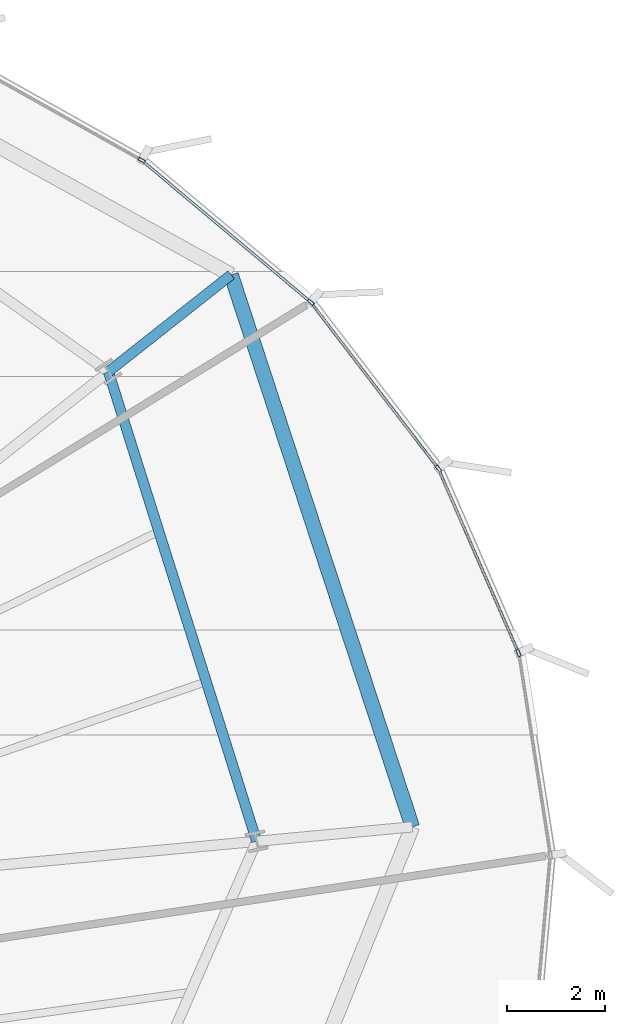
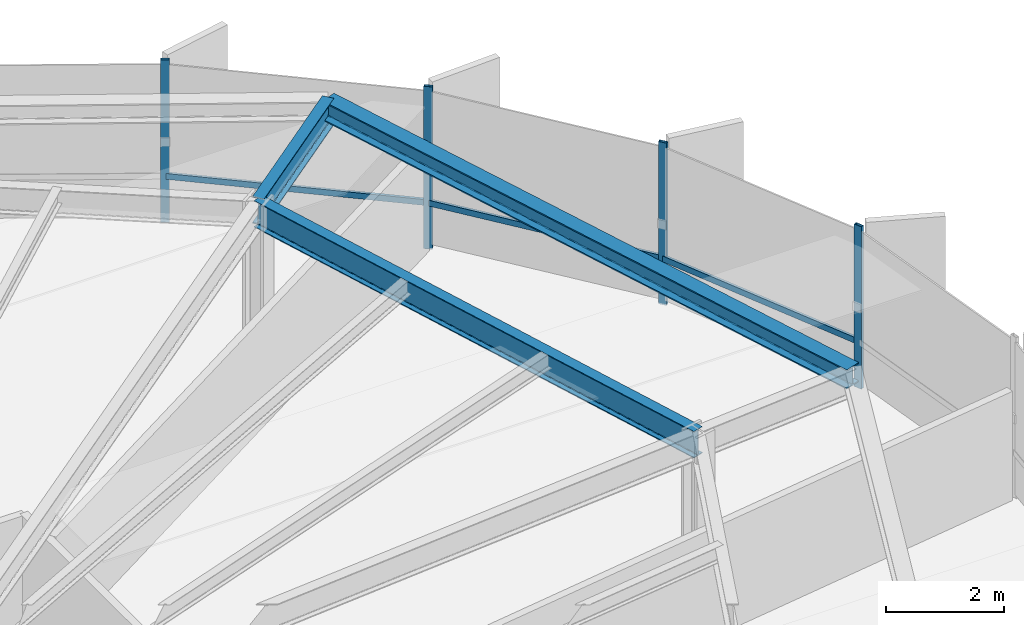
# One storey, part 25 of 35: 7 members, 3 beams, 1 element without a shape of its own.
"""IFC4 building model written with IfcOpenShell, lengths in metres."""

from ifc_helpers import new_model, si_unit, direction, frame, origin, origin_2d, place, context, subcontext, project, spatial, hollow_rectangle, i_section, extrude, source, transform, mapped, material, layer, layer_set, material_profile, profile_set, type_object, element, aggregate, save


model = new_model("IFC4")

# Units and contexts
model_context = context("Model", 3, precision=1e-05, world=origin(), true_north=direction((0.0, 1.0)))
body_context = subcontext(model_context, "Body", "Model", "MODEL_VIEW")
ifc_project = project(units=[si_unit("LENGTHUNIT", "METRE"), si_unit("AREAUNIT", "SQUARE_METRE"), si_unit("VOLUMEUNIT", "CUBIC_METRE"), si_unit("PLANEANGLEUNIT", "RADIAN"), si_unit("MASSUNIT", "GRAM", prefix="KILO"), si_unit("THERMODYNAMICTEMPERATUREUNIT", "KELVIN")], contexts=[model_context])

# Site, building, storey
site_placement = place(None, origin())
site = spatial("IfcSite", under=ifc_project, at=site_placement, CompositionType="ELEMENT")
building_placement = place(site_placement, origin())
building = spatial("IfcBuilding", under=site, at=building_placement, Name="Kethvar Cultural Tower", CompositionType="ELEMENT")
storey_placement = place(building_placement, frame((0.0, 0.0, 100.0)))
storey = spatial("IfcBuildingStorey", under=building, at=storey_placement, Name="L24", CompositionType="ELEMENT", Elevation=100.0)

# Beams
ifc_material_1 = material(Name="Steel S355J2", Category="steel")
ifc_material_profile_1 = material_profile(ifc_material_1, i_section(OverallWidth=0.2099609375, OverallDepth=0.550048828125, WebThickness=0.010986328125, FlangeThickness=0.01708984375, FilletRadius=0.02392578125, at=origin_2d()), Name="Steel S355J2 — IPE550")
ifc_profile_set_1 = profile_set([ifc_material_profile_1], Name="Steel S355J2 — IPE550")
beam_type_1 = type_object("IfcBeamType", Name="BM-IPE550", PredefinedType="BEAM", material=ifc_profile_set_1)
shared_shape_1 = source(origin(), body_context, "Body", "SweptSolid", [
    extrude(i_section(OverallWidth=0.2099609375, OverallDepth=0.550048828125, WebThickness=0.010986328125, FlangeThickness=0.01708984375, FilletRadius=0.02392578125, at=origin_2d()), origin(), (0.0, 0.0, 1.0), 3.2001953125),
])
beam_1_placement = place(storey_placement, frame((68.568603515625, 42.34521484375, 3.072998046875), z_axis=(0.784650322996, 0.619938602301, 0.0), x_axis=(-0.619938602301, 0.784650322996, 0.0)))
element("IfcBeam", 1, at=beam_1_placement, inside=storey, type_object=beam_type_1, Name="L24 Perimeter Cantilever Beam RC-02", PredefinedType="BEAM", context=body_context, shape_type="MappedRepresentation", body=[
    mapped(shared_shape_1, transform((0.0, 0.0, 0.0), scale=1.0)),
])
shared_shape_2 = source(origin(), body_context, "Body", "SweptSolid", [
    extrude(i_section(OverallWidth=0.2099609375, OverallDepth=0.550048828125, WebThickness=0.010986328125, FlangeThickness=0.01708984375, FilletRadius=0.02392578125, at=origin_2d()), origin(), (0.0, 0.0, 1.0), 10.079345703125),
])
beam_2_placement = place(storey_placement, frame((71.6025390625, 32.7333984375, 3.072998046875), z_axis=(-0.301007326566, 0.953621827222, 0.0), x_axis=(-0.953621827222, -0.301007326566, 0.0)))
element("IfcBeam", 2, at=beam_2_placement, inside=storey, type_object=beam_type_1, Name="L24 Column Ring Tie Beam CR-01", PredefinedType="BEAM", context=body_context, shape_type="MappedRepresentation", body=[
    mapped(shared_shape_2, transform((0.0, 0.0, 0.0), scale=1.0)),
])
ifc_material_profile_2 = material_profile(ifc_material_1, i_section(OverallWidth=0.300048828125, OverallDepth=0.39990234375, WebThickness=0.013427734375, FlangeThickness=0.02392578125, FilletRadius=0.027099609375, at=origin_2d()), Name="Steel S355J2 — HEB400")
ifc_profile_set_2 = profile_set([ifc_material_profile_2], Name="Steel S355J2 — HEB400")
beam_type_2 = type_object("IfcBeamType", Name="BM-SP400", PredefinedType="SPANDREL", material=ifc_profile_set_2)
shared_shape_3 = source(origin(), body_context, "Body", "SweptSolid", [
    extrude(i_section(OverallWidth=0.300048828125, OverallDepth=0.39990234375, WebThickness=0.013427734375, FlangeThickness=0.02392578125, FilletRadius=0.027099609375, at=origin_2d()), origin(), (0.0, 0.0, 1.0), 11.8935546875),
])
beam_3_placement = place(storey_placement, frame((74.788818359375, 33.02880859375, 3.14794921875), z_axis=(-0.311870604739, 0.95012458441, 0.0), x_axis=(-0.95012458441, -0.311870604739, 0.0)))
element("IfcBeam", 3, at=beam_3_placement, inside=storey, type_object=beam_type_2, Name="L24 Perimeter Spandrel Beam SP-01", PredefinedType="SPANDREL", context=body_context, shape_type="MappedRepresentation", body=[
    mapped(shared_shape_3, transform((0.0, 0.0, 0.0), scale=1.0)),
])

# Curtain wall, members
ifc_material_2 = material(Name="Aluminium 6063-T6", Category="aluminium")
ifc_layer = layer(ifc_material_2, 0.179931640625, Name="Aluminium 6063-T6", Category="aluminium")
ifc_layer_set = layer_set([ifc_layer], Name="Aluminium 6063-T6 (180 mm)")
curtain_wall_type = type_object("IfcCurtainWallType", Name="CW-SYS-03-Z2", PredefinedType="NOTDEFINED", material=ifc_layer_set)
curtain_wall_placement = place(storey_placement, origin())
curtain_wall = element("IfcCurtainWall", 4, at=curtain_wall_placement, inside=storey, type_object=curtain_wall_type, Name="L24 Curtain Wall Run 01", PredefinedType="NOTDEFINED")
ifc_material_profile_3 = material_profile(ifc_material_2, hollow_rectangle(XDim=0.06005859375, YDim=0.14990234375, WallThickness=0.0048828125, at=origin_2d()), Name="Aluminium 6063-T6 — RHS150x60x5")
ifc_profile_set_3 = profile_set([ifc_material_profile_3], Name="Aluminium 6063-T6 — RHS150x60x5")
member_type_1 = type_object("IfcMemberType", Name="CW-SYS-03-Z2-MUL", PredefinedType="MULLION", material=ifc_profile_set_3)
shared_shape_4 = source(origin(), body_context, "Body", "SweptSolid", [
    extrude(hollow_rectangle(XDim=0.06005859375, YDim=0.14990234375, WallThickness=0.0048828125, at=origin_2d()), origin(), (0.0, 0.0, 1.0), 3.35009765625),
])
member_1_placement = place(storey_placement, frame((76.96240234375, 36.587890625, 0.0), z_axis=(0.0, 0.0, 1.0), x_axis=(-0.916927793766, -0.399053155632, 0.0)))
member_1 = element("IfcMember", 5, at=member_1_placement, type_object=member_type_1, Name="CW-L24-R01 Mullion 1", PredefinedType="MULLION", context=body_context, shape_type="MappedRepresentation", body=[
    mapped(shared_shape_4, transform((0.0, 0.0, 0.0), scale=1.0)),
])
member_2_placement = place(storey_placement, frame((75.323486328125, 40.3623046875, 0.0), z_axis=(0.0, 0.0, 1.0), x_axis=(-0.793077011443, -0.609121378644, 0.0)))
member_2 = element("IfcMember", 6, at=member_2_placement, type_object=member_type_1, Name="CW-L24-R01 Mullion 2", PredefinedType="MULLION", context=body_context, shape_type="MappedRepresentation", body=[
    mapped(shared_shape_4, transform((0.0, 0.0, 0.0), scale=1.0)),
])
member_3_placement = place(storey_placement, frame((72.711181640625, 43.76806640625, 0.0), z_axis=(0.0, 0.0, 1.0), x_axis=(-0.642841088111, -0.765999566211, 0.0)))
member_3 = element("IfcMember", 7, at=member_3_placement, type_object=member_type_1, Name="CW-L24-R01 Mullion 3", PredefinedType="MULLION", context=body_context, shape_type="MappedRepresentation", body=[
    mapped(shared_shape_4, transform((0.0, 0.0, 0.0), scale=1.0)),
])
member_4_placement = place(storey_placement, frame((69.250732421875, 46.674560546875, 0.0), z_axis=(0.0, 0.0, 1.0), x_axis=(-0.48886486929, -0.872359524264, 0.0)))
member_4 = element("IfcMember", 8, at=member_4_placement, type_object=member_type_1, Name="CW-L24-R01 Mullion 4", PredefinedType="MULLION", context=body_context, shape_type="MappedRepresentation", body=[
    mapped(shared_shape_4, transform((0.0, 0.0, 0.0), scale=1.0)),
])
ifc_material_profile_4 = material_profile(ifc_material_2, hollow_rectangle(XDim=0.054931640625, YDim=0.1201171875, WallThickness=0.00390625, at=origin_2d()), Name="Aluminium 6063-T6 — RHS120x55x4")
ifc_profile_set_4 = profile_set([ifc_material_profile_4], Name="Aluminium 6063-T6 — RHS120x55x4")
member_type_2 = type_object("IfcMemberType", Name="CW-SYS-03-Z2-TRN", PredefinedType="USERDEFINED", material=ifc_profile_set_4)
shared_shape_5 = source(origin(), body_context, "Body", "SweptSolid", [
    extrude(hollow_rectangle(XDim=0.054931640625, YDim=0.1201171875, WallThickness=0.00390625, at=origin_2d()), origin(), (0.0, 0.0, 1.0), 4.09521484375),
])
member_5_placement = place(storey_placement, frame((76.960693359375, 36.591796875, 0.949951171875), z_axis=(-0.39907923707, 0.916916442507, 0.0), x_axis=(-0.916916442507, -0.39907923707, 0.0)))
member_5 = element("IfcMember", 9, at=member_5_placement, type_object=member_type_2, Name="CW-L24-R01 Transom 1", ObjectType="TRANSOM", PredefinedType="USERDEFINED", context=body_context, shape_type="MappedRepresentation", body=[
    mapped(shared_shape_5, transform((0.0, 0.0, 0.0), scale=1.0)),
])
shared_shape_6 = source(origin(), body_context, "Body", "SweptSolid", [
    extrude(hollow_rectangle(XDim=0.054931640625, YDim=0.1201171875, WallThickness=0.00390625, at=origin_2d()), origin(), (0.0, 0.0, 1.0), 4.230712890625),
])
member_6_placement = place(storey_placement, frame((75.297119140625, 40.396484375, 0.949951171875), z_axis=(-0.609110977972, 0.793084999552, 0.0), x_axis=(-0.793084999552, -0.609110977972, 0.0)))
member_6 = element("IfcMember", 10, at=member_6_placement, type_object=member_type_2, Name="CW-L24-R01 Transom 2", ObjectType="TRANSOM", PredefinedType="USERDEFINED", context=body_context, shape_type="MappedRepresentation", body=[
    mapped(shared_shape_6, transform((0.0, 0.0, 0.0), scale=1.0)),
])
shared_shape_7 = source(origin(), body_context, "Body", "SweptSolid", [
    extrude(hollow_rectangle(XDim=0.054931640625, YDim=0.1201171875, WallThickness=0.00390625, at=origin_2d()), origin(), (0.0, 0.0, 1.0), 4.453857421875),
])
member_7_placement = place(storey_placement, frame((72.677978515625, 43.7958984375, 0.949951171875), z_axis=(-0.766028716622, 0.64280635133, 0.0), x_axis=(-0.64280635133, -0.766028716622, 0.0)))
member_7 = element("IfcMember", 11, at=member_7_placement, type_object=member_type_2, Name="CW-L24-R01 Transom 3", ObjectType="TRANSOM", PredefinedType="USERDEFINED", context=body_context, shape_type="MappedRepresentation", body=[
    mapped(shared_shape_7, transform((0.0, 0.0, 0.0), scale=1.0)),
])
aggregate(curtain_wall, [member_1, member_2, member_3, member_4, member_5, member_6, member_7])

save(model, "model.ifc")
